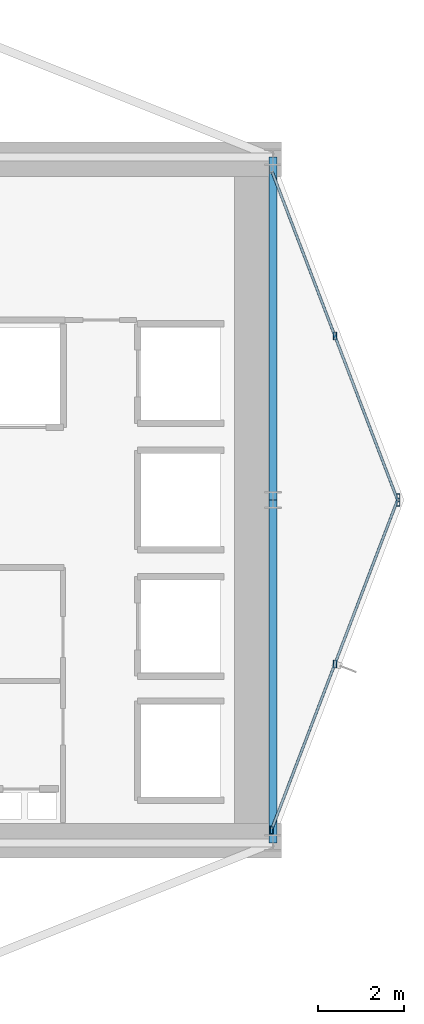
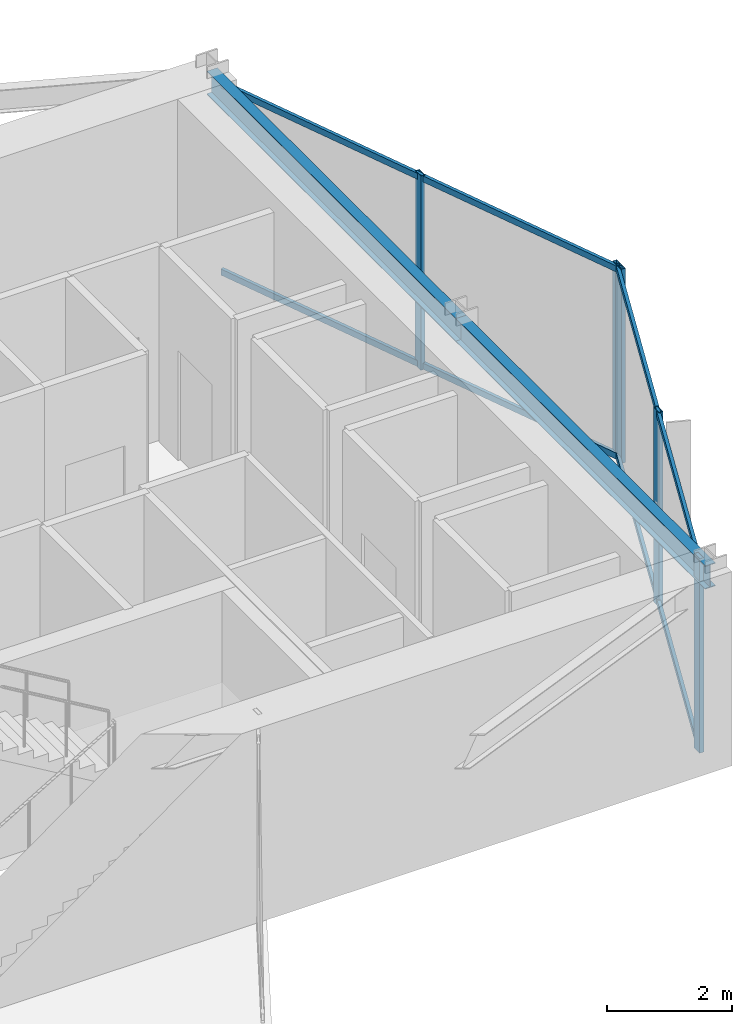
# One storey, part 15 of 26: 9 members, 2 beams, 2 elements without a shape of their own.
"""IFC4 building model written with IfcOpenShell, lengths in metres."""

import ifcopenshell
import ifcopenshell.guid

model = None  # the IFC model being written
_history = None  # IfcOwnerHistory: only IFC2X3 demands one
_inside = {}  # id of a spatial element -> (the spatial element, [elements in it])
_under = {}  # id of a project, library or spatial element -> (it, [spatial elements below it])
_declared = {}  # id of a project -> (the project, [libraries it declares])
_typed = {}  # id of a type object -> (the type object, [elements of that type])
_made_of = {}  # id of a material, layer set ... -> (it, [elements and type objects made of it])


def new_model(schema):
    """Start an empty IFC model of exactly this schema.

    Asked for "IFC4X3", IfcOpenShell would pick the latest addendum, in which some entities
    have other attributes; the version numbers below select the first issue.
    IFC2X3 requires an IfcOwnerHistory on every rooted entity: one is made here for all.
    """
    global model, _history
    if schema == "IFC4X3":
        model = ifcopenshell.file(schema_version=(4, 3, 0, 0))
    else:
        model = ifcopenshell.file(schema=schema)
    _inside.clear()
    _under.clear()
    _declared.clear()
    _typed.clear()
    _made_of.clear()
    _history = None
    if model.schema == "IFC2X3":
        org = make("IfcOrganization", Name="unknown")
        user = make(
            "IfcPersonAndOrganization",
            ThePerson=make("IfcPerson", FamilyName="unknown"),
            TheOrganization=org,
        )
        app = make(
            "IfcApplication",
            ApplicationDeveloper=org,
            Version="unknown",
            ApplicationFullName="unknown",
            ApplicationIdentifier="unknown",
        )
        _history = make(
            "IfcOwnerHistory",
            OwningUser=user,
            OwningApplication=app,
            ChangeAction="ADDED",
            CreationDate=0,
        )
    return model


def make(cls, **values):
    """One entity of the class cls with the attributes given. An attribute that is None is left unset."""
    return model.create_entity(
        cls, **{name: value for name, value in values.items() if value is not None}
    )


def rooted(cls, **values):
    """An entity with a GlobalId (a new one), such as an element, a storey or a relation."""
    return make(cls, GlobalId=ifcopenshell.guid.new(), OwnerHistory=_history, **values)


def si_unit(unit_type, name, prefix=None):
    """IfcSIUnit, for example si_unit("LENGTHUNIT", "METRE", prefix="MILLI")."""
    return make("IfcSIUnit", UnitType=unit_type, Prefix=prefix, Name=name)


def assignment(units):
    """IfcUnitAssignment: the units of a project."""
    return None if units is None else make("IfcUnitAssignment", Units=units)


def point(xyz):
    """IfcCartesianPoint."""
    return None if xyz is None else make("IfcCartesianPoint", Coordinates=xyz)


def direction(xyz):
    """IfcDirection."""
    return None if xyz is None else make("IfcDirection", DirectionRatios=xyz)


def frame(location, z_axis=None, x_axis=None):
    """IfcAxis2Placement3D, a coordinate frame: its origin and axes. An axis left out is left unset."""
    return make(
        "IfcAxis2Placement3D",
        Location=point(location),
        Axis=direction(z_axis),
        RefDirection=direction(x_axis),
    )


def frame_2d(location, x_axis=None):
    """IfcAxis2Placement2D, a coordinate frame in the plane: its origin and x axis."""
    return make(
        "IfcAxis2Placement2D", Location=point(location), RefDirection=direction(x_axis)
    )


def origin():
    """The frame at (0, 0, 0) with its axes left unset."""
    return frame((0.0, 0.0, 0.0))


def origin_2d():
    """The frame at (0, 0) in the plane with its x axis left unset."""
    return frame_2d((0.0, 0.0))


def place(relative_to, where):
    """IfcLocalPlacement: puts the frame where relative to a parent placement (None: the world)."""
    return make(
        "IfcLocalPlacement", PlacementRelTo=relative_to, RelativePlacement=where
    )


def context(
    kind, dimensions, precision=None, world=None, true_north=None, identifier=None
):
    """IfcGeometricRepresentationContext, for example the 3D "Model" context."""
    return make(
        "IfcGeometricRepresentationContext",
        ContextIdentifier=identifier,
        ContextType=kind,
        CoordinateSpaceDimension=dimensions,
        Precision=precision,
        WorldCoordinateSystem=world,
        TrueNorth=true_north,
    )


def subcontext(parent, identifier, kind, view, scale=None):
    """IfcGeometricRepresentationSubContext, for example "Body" below "Model"."""
    return make(
        "IfcGeometricRepresentationSubContext",
        ContextIdentifier=identifier,
        ContextType=kind,
        ParentContext=parent,
        TargetScale=scale,
        TargetView=view,
    )


def project(units=None, contexts=None):
    """IfcProject with its units and contexts."""
    return rooted(
        "IfcProject",
        Name="project",
        RepresentationContexts=contexts,
        UnitsInContext=assignment(units),
    )


def spatial(cls, under=None, at=None, **own):
    """A site, building, storey or space (cls), placed at a placement, below another one or the project."""
    s = rooted(cls, ObjectPlacement=at, **own)
    if under is not None:
        _under.setdefault(under.id(), (under, []))[1].append(s)
    return s


def profile(cls, at=None, kind="AREA", **sizes):
    """A parametric profile (cls). Its sizes go by their IFC names, for example OverallWidth=200.0."""
    return make(cls, ProfileType=kind, Position=at, **sizes)


def hollow_rectangle(**sizes):
    """IfcRectangleHollowProfileDef."""
    return profile("IfcRectangleHollowProfileDef", **sizes)


def i_section(**sizes):
    """IfcIShapeProfileDef."""
    return profile("IfcIShapeProfileDef", **sizes)


def extrude(swept, where, along, depth):
    """IfcExtrudedAreaSolid: the profile swept, set in the frame where, extruded along a direction by depth."""
    return make(
        "IfcExtrudedAreaSolid",
        SweptArea=swept,
        Position=where,
        ExtrudedDirection=direction(along),
        Depth=depth,
    )


def shape(context_of_items, identifier, shape_type, items):
    """IfcShapeRepresentation: the items that make up one representation, for example the "Body"."""
    return make(
        "IfcShapeRepresentation",
        ContextOfItems=context_of_items,
        RepresentationIdentifier=identifier,
        RepresentationType=shape_type,
        Items=items,
    )


def material(Name=None, Category=None):
    """IfcMaterial."""
    return make("IfcMaterial", Name=Name, Category=Category)


def layer(
    of_material, thickness, ventilated=None, Name=None, Category=None, Priority=None
):
    """IfcMaterialLayer: one layer of a wall or slab, of a material (None: an air gap)."""
    return make(
        "IfcMaterialLayer",
        Material=of_material,
        LayerThickness=thickness,
        IsVentilated=ventilated,
        Name=Name,
        Category=Category,
        Priority=Priority,
    )


def layer_set(layers, Name=None):
    """IfcMaterialLayerSet."""
    return make("IfcMaterialLayerSet", MaterialLayers=layers, LayerSetName=Name)


def material_profile(
    of_material, cross_section, Name=None, Category=None, Priority=None
):
    """IfcMaterialProfile: a cross section and its material."""
    return make(
        "IfcMaterialProfile",
        Name=Name,
        Material=of_material,
        Profile=cross_section,
        Priority=Priority,
        Category=Category,
    )


def profile_set(profiles, Name=None, composite=None):
    """IfcMaterialProfileSet."""
    return make(
        "IfcMaterialProfileSet",
        Name=Name,
        MaterialProfiles=profiles,
        CompositeProfile=composite,
    )


def made_of(thing, what):
    """Note that an element or type object is made of a material, layer set ...; save() writes the relation."""
    if what is not None:
        _made_of.setdefault(what.id(), (what, []))[1].append(thing)
    return thing


def type_object(cls, material=None, **own):
    """A type object (cls), such as IfcWallType, which elements share."""
    return made_of(rooted(cls, **own), material)


def element(
    cls,
    number,
    at=None,
    inside=None,
    cuts=None,
    type_object=None,
    material=None,
    context=None,
    identifier="Body",
    shape_type=None,
    held_by="IfcProductDefinitionShape",
    body=None,
    shapes=None,
    **own,
):
    """One element of the class cls, such as IfcWall. Its Tag is "e" and its number.

    at: its placement. inside: the storey or other place that contains it. cuts: it is an
    opening in that element (IfcRelVoidsElement). A single representation is given by context,
    identifier, shape_type and body (its items); several are given by shapes. held_by: the class
    of the entity that holds the representations. save() writes the other relations.
    """
    e = rooted(cls, Tag="e%d" % number, ObjectPlacement=at, **own)
    if body is not None:
        shapes = [shape(context, identifier, shape_type, body)]
    if shapes is not None:
        e.Representation = make(held_by, Representations=shapes)
    if inside is not None:
        _inside.setdefault(inside.id(), (inside, []))[1].append(e)
    if cuts is not None:
        rooted(
            "IfcRelVoidsElement", RelatingBuildingElement=cuts, RelatedOpeningElement=e
        )
    if type_object is not None:
        _typed.setdefault(type_object.id(), (type_object, []))[1].append(e)
    return made_of(e, material)


def aggregate(whole, parts):
    """IfcRelAggregates: a whole, such as a stair, and the parts it consists of."""
    return rooted("IfcRelAggregates", RelatingObject=whole, RelatedObjects=parts)


def save(model, path):
    """Write the relations noted so far, then the file.

    IfcRelAggregates (storeys below a building ...), IfcRelContainedInSpatialStructure (elements
    in a storey), IfcRelDefinesByType, IfcRelAssociatesMaterial and IfcRelDeclares: one each for
    every whole, place, type object, material and project.
    """
    for whole, parts in _under.values():
        aggregate(whole, parts)
    for where, things in _inside.values():
        rooted(
            "IfcRelContainedInSpatialStructure",
            RelatedElements=things,
            RelatingStructure=where,
        )
    for kind, things in _typed.values():
        rooted("IfcRelDefinesByType", RelatedObjects=things, RelatingType=kind)
    for what, things in _made_of.values():
        rooted("IfcRelAssociatesMaterial", RelatedObjects=things, RelatingMaterial=what)
    for by, libraries in _declared.values():
        rooted("IfcRelDeclares", RelatingContext=by, RelatedDefinitions=libraries)
    model.write(path)


model = new_model("IFC4")

# Units and contexts
model_context = context("Model", 3, precision=1e-05, world=origin(), true_north=direction((0.0, 1.0)))
body_context = subcontext(model_context, "Body", "Model", "MODEL_VIEW")
ifc_project = project(units=[si_unit("LENGTHUNIT", "METRE"), si_unit("AREAUNIT", "SQUARE_METRE"), si_unit("VOLUMEUNIT", "CUBIC_METRE"), si_unit("PLANEANGLEUNIT", "RADIAN"), si_unit("MASSUNIT", "GRAM", prefix="KILO")], contexts=[model_context])

# Site, building, storey
site_placement = place(None, origin())
site = spatial("IfcSite", under=ifc_project, at=site_placement, CompositionType="ELEMENT")
building_placement = place(site_placement, origin())
building = spatial("IfcBuilding", under=site, at=building_placement, Name="Veymaron Broadcast Tower", CompositionType="ELEMENT")
storey_placement = place(building_placement, frame((0.0, 0.0, 153.300048828125)))
storey = spatial("IfcBuildingStorey", under=building, at=storey_placement, Name="L35", CompositionType="ELEMENT", Elevation=153.300048828125)

# Beams
ifc_material_1 = material(Name="Structural steel ASTM A992 Gr 50", Category="steel")
ifc_material_profile_1 = material_profile(ifc_material_1, i_section(OverallWidth=0.19091796875, OverallDepth=0.4599609375, WebThickness=0.010009765625, FlangeThickness=0.01611328125, at=origin_2d()), Name="W460X82")
ifc_profile_set_1 = profile_set([ifc_material_profile_1], Name="Structural steel ASTM A992 Gr 50")
beam_type = type_object("IfcBeamType", Name="BM-SP1", PredefinedType="SPANDREL", material=ifc_profile_set_1)
for number, where, z_axis, x_axis, name in (
    (1, (54.60009765625, 16.0, 3.579833984375), (0.0, 1.0, 0.0), (-1.0, 0.0, 0.0), "L35 primary structural floor girder"),
    (2, (54.60009765625, 24.0, 3.579833984375), (0.0, 1.0, 0.0), (-1.0, 0.0, 0.0), "L35 primary structural floor girder"),
):
    element("IfcBeam", number, at=place(storey_placement, frame(where, z_axis=z_axis, x_axis=x_axis)), inside=storey, type_object=beam_type, Name=name, PredefinedType="SPANDREL", context=body_context, shape_type="SweptSolid", body=[
        extrude(i_section(OverallWidth=0.19091796875, OverallDepth=0.4599609375, WebThickness=0.010009765625, FlangeThickness=0.01611328125, at=origin_2d()), origin(), (0.0, 0.0, 1.0), 8.0),
    ])

# Curtain wall, members
ifc_material_2 = material(Name="Anodised aluminium AA 6063-T6 and laminated low-E dark glass", Category="aluminium")
ifc_layer = layer(ifc_material_2, 0.179931640625)
ifc_layer_set = layer_set([ifc_layer], Name="Anodised aluminium AA 6063-T6 and laminated low-E dark glass")
curtain_wall_type = type_object("IfcCurtainWallType", Name="CW-SYS-03", PredefinedType="NOTDEFINED", material=ifc_layer_set)
curtain_wall_1_placement = place(storey_placement, origin())
curtain_wall_1 = element("IfcCurtainWall", 3, at=curtain_wall_1_placement, inside=storey, type_object=curtain_wall_type, Name="L35 dark-glass curtain wall CW-L35-E2-1", PredefinedType="NOTDEFINED")
ifc_material_3 = material(Name="Anodised aluminium AA 6063-T6", Category="aluminium")
ifc_material_profile_2 = material_profile(ifc_material_3, hollow_rectangle(XDim=0.074951171875, YDim=0.179931640625, WallThickness=0.0048828125, at=origin_2d()), Name="AL180X75X5")
ifc_profile_set_2 = profile_set([ifc_material_profile_2], Name="Anodised aluminium AA 6063-T6")
member_type_1 = type_object("IfcMemberType", Name="CW-MUL-02", PredefinedType="MULLION", material=ifc_profile_set_2)
member_1_placement = place(storey_placement, frame((54.5654296875, 16.302001953125, 0.0), z_axis=(0.0, 0.0, 1.0), x_axis=(1.0, 0.0, 0.0)))
member_1 = element("IfcMember", 4, at=member_1_placement, type_object=member_type_1, Name="CW-L35-E2-1 mullion 0", PredefinedType="MULLION", context=body_context, shape_type="SweptSolid", body=[
    extrude(hollow_rectangle(XDim=0.074951171875, YDim=0.179931640625, WallThickness=0.0048828125, at=origin_2d()), origin(), (0.0, 0.0, 1.0), 3.81005859375),
])
member_2_placement = place(storey_placement, frame((56.046142578125, 20.176025390625, 0.0), z_axis=(0.0, 0.0, 1.0), x_axis=(1.0, 0.0, 0.0)))
member_2 = element("IfcMember", 5, at=member_2_placement, type_object=member_type_1, Name="CW-L35-E2-1 mullion 1", PredefinedType="MULLION", context=body_context, shape_type="SweptSolid", body=[
    extrude(hollow_rectangle(XDim=0.074951171875, YDim=0.179931640625, WallThickness=0.0048828125, at=origin_2d()), origin(), (0.0, 0.0, 1.0), 3.81005859375),
])
member_3_placement = place(storey_placement, frame((57.52685546875, 24.050048828125, 0.0), z_axis=(0.0, 0.0, 1.0), x_axis=(1.0, 0.0, 0.0)))
member_3 = element("IfcMember", 6, at=member_3_placement, type_object=member_type_1, Name="CW-L35-E2-1 mullion 2", PredefinedType="MULLION", context=body_context, shape_type="SweptSolid", body=[
    extrude(hollow_rectangle(XDim=0.074951171875, YDim=0.179931640625, WallThickness=0.0048828125, at=origin_2d()), origin(), (0.0, 0.0, 1.0), 3.81005859375),
])

curtain_wall_2_placement = place(storey_placement, origin())
curtain_wall_2 = element("IfcCurtainWall", 7, at=curtain_wall_2_placement, inside=storey, type_object=curtain_wall_type, Name="L35 dark-glass curtain wall CW-L35-E3-1", PredefinedType="NOTDEFINED")
member_4_placement = place(storey_placement, frame((57.52685546875, 23.949951171875, 0.0), z_axis=(0.0, 0.0, 1.0), x_axis=(1.0, 0.0, 0.0)))
member_4 = element("IfcMember", 8, at=member_4_placement, type_object=member_type_1, Name="CW-L35-E3-1 mullion 0", PredefinedType="MULLION", context=body_context, shape_type="SweptSolid", body=[
    extrude(hollow_rectangle(XDim=0.074951171875, YDim=0.179931640625, WallThickness=0.0048828125, at=origin_2d()), origin(), (0.0, 0.0, 1.0), 3.81005859375),
])
member_5_placement = place(storey_placement, frame((56.046142578125, 27.823974609375, 0.0), z_axis=(0.0, 0.0, 1.0), x_axis=(1.0, 0.0, 0.0)))
member_5 = element("IfcMember", 9, at=member_5_placement, type_object=member_type_1, Name="CW-L35-E3-1 mullion 1", PredefinedType="MULLION", context=body_context, shape_type="SweptSolid", body=[
    extrude(hollow_rectangle(XDim=0.074951171875, YDim=0.179931640625, WallThickness=0.0048828125, at=origin_2d()), origin(), (0.0, 0.0, 1.0), 3.81005859375),
])

# Member
ifc_material_profile_3 = material_profile(ifc_material_3, hollow_rectangle(XDim=0.06005859375, YDim=0.1201171875, WallThickness=0.00390625, at=origin_2d()), Name="AL120X60X4")
ifc_profile_set_3 = profile_set([ifc_material_profile_3], Name="Anodised aluminium AA 6063-T6")
member_type_2 = type_object("IfcMemberType", Name="CW-TRN-02", PredefinedType="USERDEFINED", material=ifc_profile_set_3)
member_6_placement = place(storey_placement, frame((54.58349609375, 16.3486328125, 0.070068359375), z_axis=(0.356973860557, 0.934114373553, 0.0), x_axis=(-0.934114373553, 0.356973860557, 0.0)))
member_6 = element("IfcMember", 10, at=member_6_placement, type_object=member_type_2, Name="CW-L35-E2-1 transom B", ObjectType="TRANSOM", PredefinedType="USERDEFINED", context=body_context, shape_type="SweptSolid", body=[
    extrude(hollow_rectangle(XDim=0.06005859375, YDim=0.1201171875, WallThickness=0.00390625, at=origin_2d()), origin(), (0.0, 0.0, 1.0), 8.194580078125),
])

member_7_placement = place(storey_placement, frame((54.58349609375, 16.3486328125, 3.739990234375), z_axis=(0.356973860557, 0.934114373553, 0.0), x_axis=(-0.934114373553, 0.356973860557, 0.0)))
member_7 = element("IfcMember", 11, at=member_7_placement, type_object=member_type_2, Name="CW-L35-E2-1 transom T", ObjectType="TRANSOM", PredefinedType="USERDEFINED", context=body_context, shape_type="SweptSolid", body=[
    extrude(hollow_rectangle(XDim=0.06005859375, YDim=0.1201171875, WallThickness=0.00390625, at=origin_2d()), origin(), (0.0, 0.0, 1.0), 8.194580078125),
])

aggregate(curtain_wall_1, [member_1, member_2, member_3, member_6, member_7])

member_8_placement = place(storey_placement, frame((57.5087890625, 23.99658203125, 0.070068359375), z_axis=(-0.356973860557, 0.934114373553, 0.0), x_axis=(-0.934114373553, -0.356973860557, 0.0)))
member_8 = element("IfcMember", 12, at=member_8_placement, type_object=member_type_2, Name="CW-L35-E3-1 transom B", ObjectType="TRANSOM", PredefinedType="USERDEFINED", context=body_context, shape_type="SweptSolid", body=[
    extrude(hollow_rectangle(XDim=0.06005859375, YDim=0.1201171875, WallThickness=0.00390625, at=origin_2d()), origin(), (0.0, 0.0, 1.0), 8.194580078125),
])

member_9_placement = place(storey_placement, frame((57.5087890625, 23.99658203125, 3.739990234375), z_axis=(-0.356973860557, 0.934114373553, 0.0), x_axis=(-0.934114373553, -0.356973860557, 0.0)))
member_9 = element("IfcMember", 13, at=member_9_placement, type_object=member_type_2, Name="CW-L35-E3-1 transom T", ObjectType="TRANSOM", PredefinedType="USERDEFINED", context=body_context, shape_type="SweptSolid", body=[
    extrude(hollow_rectangle(XDim=0.06005859375, YDim=0.1201171875, WallThickness=0.00390625, at=origin_2d()), origin(), (0.0, 0.0, 1.0), 8.194580078125),
])

aggregate(curtain_wall_2, [member_4, member_5, member_8, member_9])

save(model, "model.ifc")
